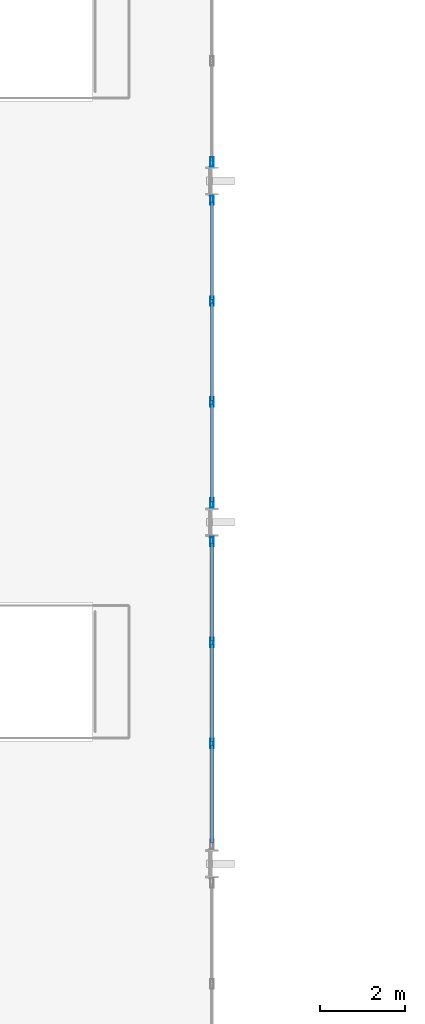
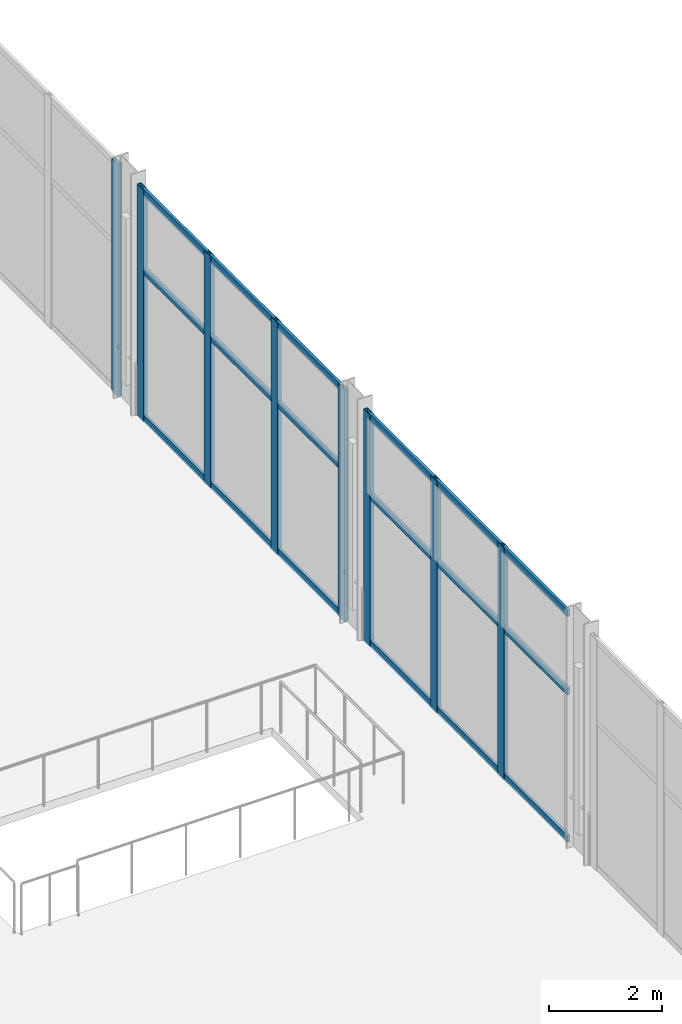
# One storey, part 68 of 195: 26 members, 3 elements without a shape of their own.
"""IFC4 building model written with IfcOpenShell, lengths in metres."""

from ifc_helpers import new_model, si_unit, direction, frame, origin, origin_2d, place, context, subcontext, project, spatial, hollow_rectangle, extrude, material, layer, layer_set, material_profile, profile_set, type_object, element, aggregate, save


model = new_model("IFC4")

# Units and contexts
model_context = context("Model", 3, precision=1e-05, world=origin(), true_north=direction((0.0, 1.0)))
body_context = subcontext(model_context, "Body", "Model", "MODEL_VIEW")
ifc_project = project(units=[si_unit("LENGTHUNIT", "METRE"), si_unit("AREAUNIT", "SQUARE_METRE"), si_unit("VOLUMEUNIT", "CUBIC_METRE"), si_unit("PLANEANGLEUNIT", "RADIAN"), si_unit("MASSUNIT", "GRAM", prefix="KILO")], contexts=[model_context])

# Site, building, storey
site_placement = place(None, origin())
site = spatial("IfcSite", under=ifc_project, at=site_placement, CompositionType="ELEMENT")
building_placement = place(site_placement, origin())
building = spatial("IfcBuilding", under=site, at=building_placement, Name="Marlcrest Central Station", CompositionType="ELEMENT")
storey_placement = place(building_placement, frame((0.0, 0.0, 9.800048828125)))
storey = spatial("IfcBuildingStorey", under=building, at=storey_placement, Name="L02", CompositionType="ELEMENT", Elevation=9.800048828125)

# Curtain wall, members
ifc_material_1 = material(Name="Anodised aluminium and hurricane laminated glass", Category="aluminium")
ifc_layer = layer(ifc_material_1, 0.219970703125, Name="CW-U1")
ifc_layer_set = layer_set([ifc_layer], Name="Anodised aluminium and hurricane laminated glass")
curtain_wall_type = type_object("IfcCurtainWallType", Name="CW-U1", PredefinedType="USERDEFINED", material=ifc_layer_set)
curtain_wall_1_placement = place(storey_placement, origin())
curtain_wall_1 = element("IfcCurtainWall", 1, at=curtain_wall_1_placement, inside=storey, type_object=curtain_wall_type, Name="cw-L02-0112", ObjectType="UNITISED_CURTAIN_WALL", PredefinedType="USERDEFINED")
ifc_material_2 = material(Name="Anodised aluminium 6063-T6", Category="aluminium")
ifc_material_profile_1 = material_profile(ifc_material_2, hollow_rectangle(XDim=0.080078125, YDim=0.219970703125, WallThickness=0.006103515625, at=origin_2d()), Name="AA-RHS 220x80x6")
ifc_profile_set_1 = profile_set([ifc_material_profile_1], Name="Anodised aluminium 6063-T6")
member_type_1 = type_object("IfcMemberType", Name="ML-01", PredefinedType="MULLION", material=ifc_profile_set_1)
member_1_placement = place(storey_placement, frame((129.0, 54.050048828125, -0.030029296875), z_axis=(0.0, 0.0, 1.0), x_axis=(1.0, 0.0, 0.0)))
member_1 = element("IfcMember", 2, at=member_1_placement, type_object=member_type_1, Name="cw-L02-0112-ml-0", PredefinedType="MULLION", context=body_context, shape_type="SweptSolid", body=[
    extrude(hollow_rectangle(XDim=0.080078125, YDim=0.219970703125, WallThickness=0.006103515625, at=origin_2d()), origin(), (0.0, 0.0, 1.0), 5.010009765625),
])
member_2_placement = place(storey_placement, frame((129.0, 51.683349609375, -0.030029296875), z_axis=(0.0, 0.0, 1.0), x_axis=(1.0, 0.0, 0.0)))
member_2 = element("IfcMember", 3, at=member_2_placement, type_object=member_type_1, Name="cw-L02-0112-ml-1", PredefinedType="MULLION", context=body_context, shape_type="SweptSolid", body=[
    extrude(hollow_rectangle(XDim=0.080078125, YDim=0.219970703125, WallThickness=0.006103515625, at=origin_2d()), origin(), (0.0, 0.0, 1.0), 5.010009765625),
])
member_3_placement = place(storey_placement, frame((129.0, 49.316650390625, -0.030029296875), z_axis=(0.0, 0.0, 1.0), x_axis=(1.0, 0.0, 0.0)))
member_3 = element("IfcMember", 4, at=member_3_placement, type_object=member_type_1, Name="cw-L02-0112-ml-2", PredefinedType="MULLION", context=body_context, shape_type="SweptSolid", body=[
    extrude(hollow_rectangle(XDim=0.080078125, YDim=0.219970703125, WallThickness=0.006103515625, at=origin_2d()), origin(), (0.0, 0.0, 1.0), 5.010009765625),
])

curtain_wall_2_placement = place(storey_placement, origin())
curtain_wall_2 = element("IfcCurtainWall", 5, at=curtain_wall_2_placement, inside=storey, type_object=curtain_wall_type, Name="cw-L02-0116", ObjectType="UNITISED_CURTAIN_WALL", PredefinedType="USERDEFINED")
member_4_placement = place(storey_placement, frame((129.0, 62.050048828125, -0.030029296875), z_axis=(0.0, 0.0, 1.0), x_axis=(1.0, 0.0, 0.0)))
member_4 = element("IfcMember", 6, at=member_4_placement, type_object=member_type_1, Name="cw-L02-0116-ml-0", PredefinedType="MULLION", context=body_context, shape_type="SweptSolid", body=[
    extrude(hollow_rectangle(XDim=0.080078125, YDim=0.219970703125, WallThickness=0.006103515625, at=origin_2d()), origin(), (0.0, 0.0, 1.0), 5.010009765625),
])
member_5_placement = place(storey_placement, frame((129.0, 59.683349609375, -0.030029296875), z_axis=(0.0, 0.0, 1.0), x_axis=(1.0, 0.0, 0.0)))
member_5 = element("IfcMember", 7, at=member_5_placement, type_object=member_type_1, Name="cw-L02-0116-ml-1", PredefinedType="MULLION", context=body_context, shape_type="SweptSolid", body=[
    extrude(hollow_rectangle(XDim=0.080078125, YDim=0.219970703125, WallThickness=0.006103515625, at=origin_2d()), origin(), (0.0, 0.0, 1.0), 5.010009765625),
])
member_6_placement = place(storey_placement, frame((129.0, 57.316650390625, -0.030029296875), z_axis=(0.0, 0.0, 1.0), x_axis=(1.0, 0.0, 0.0)))
member_6 = element("IfcMember", 8, at=member_6_placement, type_object=member_type_1, Name="cw-L02-0116-ml-2", PredefinedType="MULLION", context=body_context, shape_type="SweptSolid", body=[
    extrude(hollow_rectangle(XDim=0.080078125, YDim=0.219970703125, WallThickness=0.006103515625, at=origin_2d()), origin(), (0.0, 0.0, 1.0), 5.010009765625),
])
member_7_placement = place(storey_placement, frame((129.0, 54.949951171875, -0.030029296875), z_axis=(0.0, 0.0, 1.0), x_axis=(1.0, 0.0, 0.0)))
member_7 = element("IfcMember", 9, at=member_7_placement, type_object=member_type_1, Name="cw-L02-0116-ml-3", PredefinedType="MULLION", context=body_context, shape_type="SweptSolid", body=[
    extrude(hollow_rectangle(XDim=0.080078125, YDim=0.219970703125, WallThickness=0.006103515625, at=origin_2d()), origin(), (0.0, 0.0, 1.0), 5.010009765625),
])

# Curtain wall, member
curtain_wall_3_placement = place(storey_placement, origin())
curtain_wall_3 = element("IfcCurtainWall", 10, at=curtain_wall_3_placement, inside=storey, type_object=curtain_wall_type, Name="cw-L02-0120", ObjectType="UNITISED_CURTAIN_WALL", PredefinedType="USERDEFINED")
member_8_placement = place(storey_placement, frame((129.0, 62.949951171875, -0.030029296875), z_axis=(0.0, 0.0, 1.0), x_axis=(1.0, 0.0, 0.0)))
member_8 = element("IfcMember", 11, at=member_8_placement, type_object=member_type_1, Name="cw-L02-0120-ml-3", PredefinedType="MULLION", context=body_context, shape_type="SweptSolid", body=[
    extrude(hollow_rectangle(XDim=0.080078125, YDim=0.219970703125, WallThickness=0.006103515625, at=origin_2d()), origin(), (0.0, 0.0, 1.0), 5.010009765625),
])
aggregate(curtain_wall_3, [member_8])

# Member
ifc_material_profile_2 = material_profile(ifc_material_2, hollow_rectangle(XDim=0.06005859375, YDim=0.14990234375, WallThickness=0.00390625, at=origin_2d()), Name="AA-RHS 150x60x4")
ifc_profile_set_2 = profile_set([ifc_material_profile_2], Name="Anodised aluminium 6063-T6")
member_type_2 = type_object("IfcMemberType", Name="TR-01", PredefinedType="USERDEFINED", material=ifc_profile_set_2)
member_9_placement = place(storey_placement, frame((129.0, 54.011962890625, 0.0400390625), z_axis=(0.0, -1.0, 0.0), x_axis=(1.0, 0.0, 0.0)))
member_9 = element("IfcMember", 12, at=member_9_placement, type_object=member_type_2, Name="cw-L02-0112-tr-0-sill", ObjectType="TRANSOM", PredefinedType="USERDEFINED", context=body_context, shape_type="SweptSolid", body=[
    extrude(hollow_rectangle(XDim=0.06005859375, YDim=0.14990234375, WallThickness=0.00390625, at=origin_2d()), origin(), (0.0, 0.0, 1.0), 2.290771484375),
])

member_10_placement = place(storey_placement, frame((129.0, 54.011962890625, 3.218017578125), z_axis=(0.0, -1.0, 0.0), x_axis=(1.0, 0.0, 0.0)))
member_10 = element("IfcMember", 13, at=member_10_placement, type_object=member_type_2, Name="cw-L02-0112-tr-0-mid", ObjectType="TRANSOM", PredefinedType="USERDEFINED", context=body_context, shape_type="SweptSolid", body=[
    extrude(hollow_rectangle(XDim=0.06005859375, YDim=0.14990234375, WallThickness=0.00390625, at=origin_2d()), origin(), (0.0, 0.0, 1.0), 2.290771484375),
])

member_11_placement = place(storey_placement, frame((129.0, 54.011962890625, 4.909912109375), z_axis=(0.0, -1.0, 0.0), x_axis=(1.0, 0.0, 0.0)))
member_11 = element("IfcMember", 14, at=member_11_placement, type_object=member_type_2, Name="cw-L02-0112-tr-0-head", ObjectType="TRANSOM", PredefinedType="USERDEFINED", context=body_context, shape_type="SweptSolid", body=[
    extrude(hollow_rectangle(XDim=0.06005859375, YDim=0.14990234375, WallThickness=0.00390625, at=origin_2d()), origin(), (0.0, 0.0, 1.0), 2.290771484375),
])

member_12_placement = place(storey_placement, frame((129.0, 51.645263671875, 0.0400390625), z_axis=(0.0, -1.0, 0.0), x_axis=(1.0, 0.0, 0.0)))
member_12 = element("IfcMember", 15, at=member_12_placement, type_object=member_type_2, Name="cw-L02-0112-tr-1-sill", ObjectType="TRANSOM", PredefinedType="USERDEFINED", context=body_context, shape_type="SweptSolid", body=[
    extrude(hollow_rectangle(XDim=0.06005859375, YDim=0.14990234375, WallThickness=0.00390625, at=origin_2d()), origin(), (0.0, 0.0, 1.0), 2.29052734375),
])

member_13_placement = place(storey_placement, frame((129.0, 51.645263671875, 3.218017578125), z_axis=(0.0, -1.0, 0.0), x_axis=(1.0, 0.0, 0.0)))
member_13 = element("IfcMember", 16, at=member_13_placement, type_object=member_type_2, Name="cw-L02-0112-tr-1-mid", ObjectType="TRANSOM", PredefinedType="USERDEFINED", context=body_context, shape_type="SweptSolid", body=[
    extrude(hollow_rectangle(XDim=0.06005859375, YDim=0.14990234375, WallThickness=0.00390625, at=origin_2d()), origin(), (0.0, 0.0, 1.0), 2.29052734375),
])

member_14_placement = place(storey_placement, frame((129.0, 51.645263671875, 4.909912109375), z_axis=(0.0, -1.0, 0.0), x_axis=(1.0, 0.0, 0.0)))
member_14 = element("IfcMember", 17, at=member_14_placement, type_object=member_type_2, Name="cw-L02-0112-tr-1-head", ObjectType="TRANSOM", PredefinedType="USERDEFINED", context=body_context, shape_type="SweptSolid", body=[
    extrude(hollow_rectangle(XDim=0.06005859375, YDim=0.14990234375, WallThickness=0.00390625, at=origin_2d()), origin(), (0.0, 0.0, 1.0), 2.29052734375),
])

member_15_placement = place(storey_placement, frame((129.0, 49.27880859375, 0.0400390625), z_axis=(0.0, -1.0, 0.0), x_axis=(1.0, 0.0, 0.0)))
member_15 = element("IfcMember", 18, at=member_15_placement, type_object=member_type_2, Name="cw-L02-0112-tr-2-sill", ObjectType="TRANSOM", PredefinedType="USERDEFINED", context=body_context, shape_type="SweptSolid", body=[
    extrude(hollow_rectangle(XDim=0.06005859375, YDim=0.14990234375, WallThickness=0.00390625, at=origin_2d()), origin(), (0.0, 0.0, 1.0), 2.290771484375),
])

member_16_placement = place(storey_placement, frame((129.0, 49.27880859375, 3.218017578125), z_axis=(0.0, -1.0, 0.0), x_axis=(1.0, 0.0, 0.0)))
member_16 = element("IfcMember", 19, at=member_16_placement, type_object=member_type_2, Name="cw-L02-0112-tr-2-mid", ObjectType="TRANSOM", PredefinedType="USERDEFINED", context=body_context, shape_type="SweptSolid", body=[
    extrude(hollow_rectangle(XDim=0.06005859375, YDim=0.14990234375, WallThickness=0.00390625, at=origin_2d()), origin(), (0.0, 0.0, 1.0), 2.290771484375),
])

member_17_placement = place(storey_placement, frame((129.0, 49.27880859375, 4.909912109375), z_axis=(0.0, -1.0, 0.0), x_axis=(1.0, 0.0, 0.0)))
member_17 = element("IfcMember", 20, at=member_17_placement, type_object=member_type_2, Name="cw-L02-0112-tr-2-head", ObjectType="TRANSOM", PredefinedType="USERDEFINED", context=body_context, shape_type="SweptSolid", body=[
    extrude(hollow_rectangle(XDim=0.06005859375, YDim=0.14990234375, WallThickness=0.00390625, at=origin_2d()), origin(), (0.0, 0.0, 1.0), 2.290771484375),
])

aggregate(curtain_wall_1, [member_1, member_2, member_3, member_9, member_10, member_11, member_12, member_13, member_14, member_15, member_16, member_17])

member_18_placement = place(storey_placement, frame((129.0, 62.011962890625, 0.0400390625), z_axis=(0.0, -1.0, 0.0), x_axis=(1.0, 0.0, 0.0)))
member_18 = element("IfcMember", 21, at=member_18_placement, type_object=member_type_2, Name="cw-L02-0116-tr-0-sill", ObjectType="TRANSOM", PredefinedType="USERDEFINED", context=body_context, shape_type="SweptSolid", body=[
    extrude(hollow_rectangle(XDim=0.06005859375, YDim=0.14990234375, WallThickness=0.00390625, at=origin_2d()), origin(), (0.0, 0.0, 1.0), 2.290771484375),
])

member_19_placement = place(storey_placement, frame((129.0, 62.011962890625, 3.218017578125), z_axis=(0.0, -1.0, 0.0), x_axis=(1.0, 0.0, 0.0)))
member_19 = element("IfcMember", 22, at=member_19_placement, type_object=member_type_2, Name="cw-L02-0116-tr-0-mid", ObjectType="TRANSOM", PredefinedType="USERDEFINED", context=body_context, shape_type="SweptSolid", body=[
    extrude(hollow_rectangle(XDim=0.06005859375, YDim=0.14990234375, WallThickness=0.00390625, at=origin_2d()), origin(), (0.0, 0.0, 1.0), 2.290771484375),
])

member_20_placement = place(storey_placement, frame((129.0, 62.011962890625, 4.909912109375), z_axis=(0.0, -1.0, 0.0), x_axis=(1.0, 0.0, 0.0)))
member_20 = element("IfcMember", 23, at=member_20_placement, type_object=member_type_2, Name="cw-L02-0116-tr-0-head", ObjectType="TRANSOM", PredefinedType="USERDEFINED", context=body_context, shape_type="SweptSolid", body=[
    extrude(hollow_rectangle(XDim=0.06005859375, YDim=0.14990234375, WallThickness=0.00390625, at=origin_2d()), origin(), (0.0, 0.0, 1.0), 2.290771484375),
])

member_21_placement = place(storey_placement, frame((129.0, 59.645263671875, 0.0400390625), z_axis=(0.0, -1.0, 0.0), x_axis=(1.0, 0.0, 0.0)))
member_21 = element("IfcMember", 24, at=member_21_placement, type_object=member_type_2, Name="cw-L02-0116-tr-1-sill", ObjectType="TRANSOM", PredefinedType="USERDEFINED", context=body_context, shape_type="SweptSolid", body=[
    extrude(hollow_rectangle(XDim=0.06005859375, YDim=0.14990234375, WallThickness=0.00390625, at=origin_2d()), origin(), (0.0, 0.0, 1.0), 2.29052734375),
])

member_22_placement = place(storey_placement, frame((129.0, 59.645263671875, 3.218017578125), z_axis=(0.0, -1.0, 0.0), x_axis=(1.0, 0.0, 0.0)))
member_22 = element("IfcMember", 25, at=member_22_placement, type_object=member_type_2, Name="cw-L02-0116-tr-1-mid", ObjectType="TRANSOM", PredefinedType="USERDEFINED", context=body_context, shape_type="SweptSolid", body=[
    extrude(hollow_rectangle(XDim=0.06005859375, YDim=0.14990234375, WallThickness=0.00390625, at=origin_2d()), origin(), (0.0, 0.0, 1.0), 2.29052734375),
])

member_23_placement = place(storey_placement, frame((129.0, 59.645263671875, 4.909912109375), z_axis=(0.0, -1.0, 0.0), x_axis=(1.0, 0.0, 0.0)))
member_23 = element("IfcMember", 26, at=member_23_placement, type_object=member_type_2, Name="cw-L02-0116-tr-1-head", ObjectType="TRANSOM", PredefinedType="USERDEFINED", context=body_context, shape_type="SweptSolid", body=[
    extrude(hollow_rectangle(XDim=0.06005859375, YDim=0.14990234375, WallThickness=0.00390625, at=origin_2d()), origin(), (0.0, 0.0, 1.0), 2.29052734375),
])

member_24_placement = place(storey_placement, frame((129.0, 57.27880859375, 0.0400390625), z_axis=(0.0, -1.0, 0.0), x_axis=(1.0, 0.0, 0.0)))
member_24 = element("IfcMember", 27, at=member_24_placement, type_object=member_type_2, Name="cw-L02-0116-tr-2-sill", ObjectType="TRANSOM", PredefinedType="USERDEFINED", context=body_context, shape_type="SweptSolid", body=[
    extrude(hollow_rectangle(XDim=0.06005859375, YDim=0.14990234375, WallThickness=0.00390625, at=origin_2d()), origin(), (0.0, 0.0, 1.0), 2.290771484375),
])

member_25_placement = place(storey_placement, frame((129.0, 57.27880859375, 3.218017578125), z_axis=(0.0, -1.0, 0.0), x_axis=(1.0, 0.0, 0.0)))
member_25 = element("IfcMember", 28, at=member_25_placement, type_object=member_type_2, Name="cw-L02-0116-tr-2-mid", ObjectType="TRANSOM", PredefinedType="USERDEFINED", context=body_context, shape_type="SweptSolid", body=[
    extrude(hollow_rectangle(XDim=0.06005859375, YDim=0.14990234375, WallThickness=0.00390625, at=origin_2d()), origin(), (0.0, 0.0, 1.0), 2.290771484375),
])

member_26_placement = place(storey_placement, frame((129.0, 57.27880859375, 4.909912109375), z_axis=(0.0, -1.0, 0.0), x_axis=(1.0, 0.0, 0.0)))
member_26 = element("IfcMember", 29, at=member_26_placement, type_object=member_type_2, Name="cw-L02-0116-tr-2-head", ObjectType="TRANSOM", PredefinedType="USERDEFINED", context=body_context, shape_type="SweptSolid", body=[
    extrude(hollow_rectangle(XDim=0.06005859375, YDim=0.14990234375, WallThickness=0.00390625, at=origin_2d()), origin(), (0.0, 0.0, 1.0), 2.290771484375),
])

aggregate(curtain_wall_2, [member_4, member_5, member_6, member_7, member_18, member_19, member_20, member_21, member_22, member_23, member_24, member_25, member_26])

save(model, "model.ifc")
